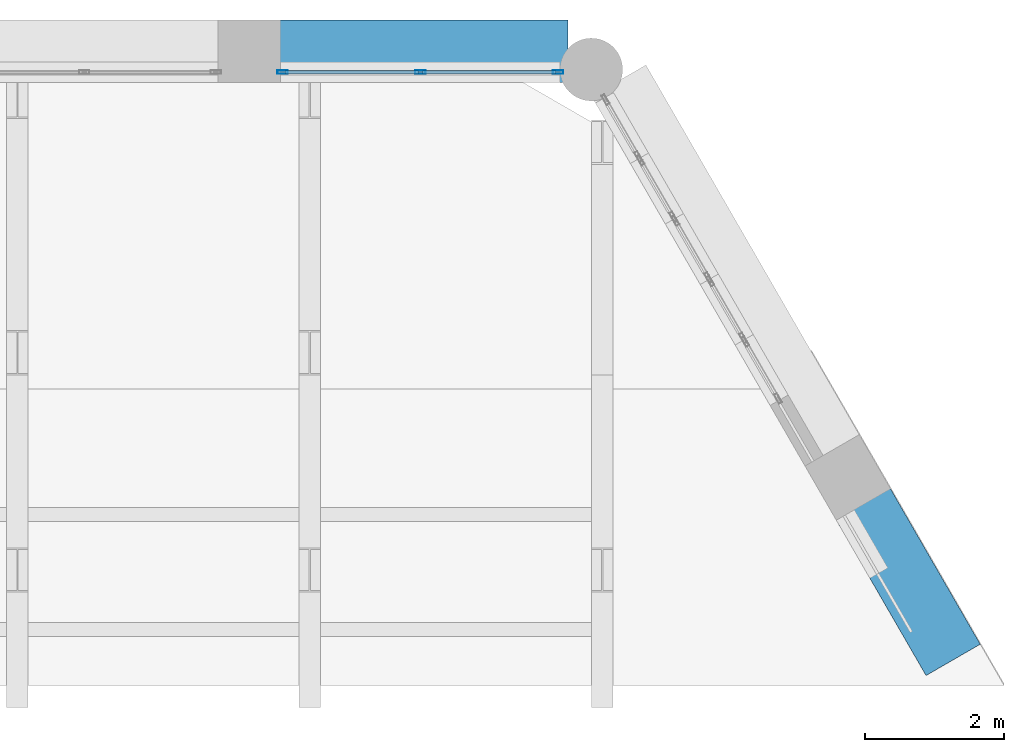
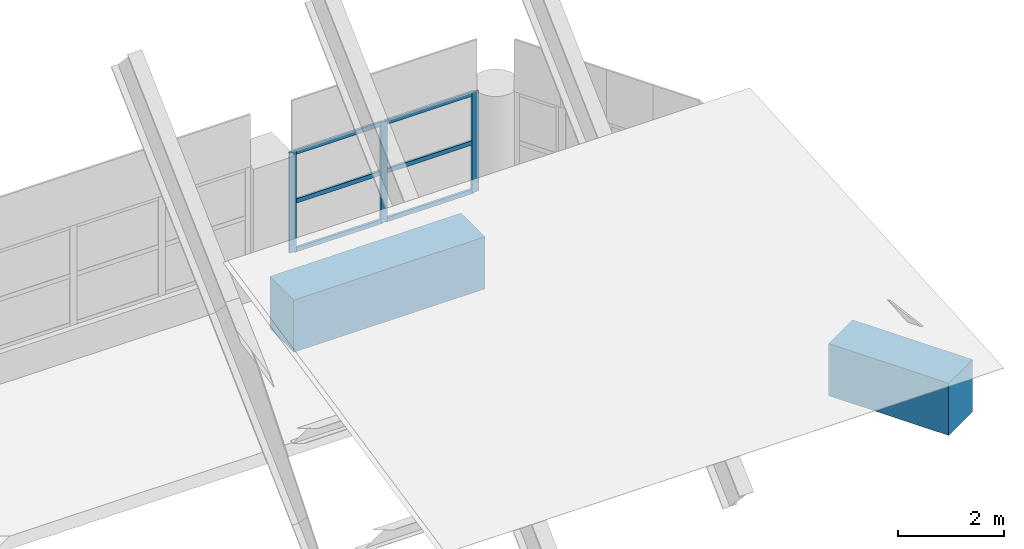
# One storey, part 8 of 11: 9 members, 2 beams, 1 element without a shape of its own.
"""IFC4 building model written with IfcOpenShell, lengths in metres."""

from ifc_helpers import new_model, si_unit, direction, frame, origin, origin_2d, place, context, subcontext, project, spatial, rectangle, hollow_rectangle, extrude, material, material_profile, profile_set, type_object, element, aggregate, save


model = new_model("IFC4")

# Units and contexts
model_context = context("Model", 3, precision=1e-05, world=origin(), true_north=direction((0.0, 1.0)))
body_context = subcontext(model_context, "Body", "Model", "MODEL_VIEW")
ifc_project = project(units=[si_unit("LENGTHUNIT", "METRE"), si_unit("AREAUNIT", "SQUARE_METRE"), si_unit("VOLUMEUNIT", "CUBIC_METRE"), si_unit("PLANEANGLEUNIT", "RADIAN"), si_unit("MASSUNIT", "GRAM", prefix="KILO")], contexts=[model_context])

# Site, building, storey
site_placement = place(None, origin())
site = spatial("IfcSite", under=ifc_project, at=site_placement, CompositionType="ELEMENT")
building_placement = place(site_placement, origin())
building = spatial("IfcBuilding", under=site, at=building_placement, Name="Ostrander Bayou Hotel Tower", CompositionType="ELEMENT")
storey_placement = place(building_placement, frame((0.0, 0.0, 297.5)))
storey = spatial("IfcBuildingStorey", under=building, at=storey_placement, Name="Roof 73", CompositionType="ELEMENT", Elevation=297.5)

# Curtain wall, members
ifc_material_1 = material(Name="Aluminium and clear glass", Category="aluminium")
curtain_wall_type = type_object("IfcCurtainWallType", Name="CW-CROWN glazed wall", PredefinedType="NOTDEFINED", material=ifc_material_1)
curtain_wall_placement = place(storey_placement, origin())
curtain_wall = element("IfcCurtainWall", 1, at=curtain_wall_placement, inside=storey, type_object=curtain_wall_type, Name="CW-CROWN L73:N-1", PredefinedType="NOTDEFINED")
ifc_material_2 = material(Name="Aluminium", Category="aluminium")
ifc_material_profile_1 = material_profile(ifc_material_2, hollow_rectangle(XDim=0.050048828125, YDim=0.14990234375, WallThickness=0.00390625, at=origin_2d()))
ifc_profile_set_1 = profile_set([ifc_material_profile_1], Name="Aluminium")
member_type_1 = type_object("IfcMemberType", Name="CW-CR mullion 50 x 150 mm", PredefinedType="MULLION", material=ifc_profile_set_1)
member_1_placement = place(storey_placement, frame((7.765869140625, 16.550048828125, 1.0), z_axis=(0.0, 0.0, 1.0), x_axis=(0.0, -1.0, 0.0)))
member_1 = element("IfcMember", 2, at=member_1_placement, type_object=member_type_1, Name="CW-CROWN mullion 1", PredefinedType="MULLION", context=body_context, shape_type="SweptSolid", body=[
    extrude(hollow_rectangle(XDim=0.050048828125, YDim=0.14990234375, WallThickness=0.00390625, at=origin_2d()), origin(), (0.0, 0.0, 1.0), 2.300048828125),
])
member_2_placement = place(storey_placement, frame((5.78759765625, 16.550048828125, 1.0), z_axis=(0.0, 0.0, 1.0), x_axis=(0.0, -1.0, 0.0)))
member_2 = element("IfcMember", 3, at=member_2_placement, type_object=member_type_1, Name="CW-CROWN mullion 2", PredefinedType="MULLION", context=body_context, shape_type="SweptSolid", body=[
    extrude(hollow_rectangle(XDim=0.050048828125, YDim=0.14990234375, WallThickness=0.00390625, at=origin_2d()), origin(), (0.0, 0.0, 1.0), 2.300048828125),
])
member_3_placement = place(storey_placement, frame((3.809326171875, 16.550048828125, 1.0), z_axis=(0.0, 0.0, 1.0), x_axis=(0.0, -1.0, 0.0)))
member_3 = element("IfcMember", 4, at=member_3_placement, type_object=member_type_1, Name="CW-CROWN mullion 3", PredefinedType="MULLION", context=body_context, shape_type="SweptSolid", body=[
    extrude(hollow_rectangle(XDim=0.050048828125, YDim=0.14990234375, WallThickness=0.00390625, at=origin_2d()), origin(), (0.0, 0.0, 1.0), 2.300048828125),
])
ifc_material_3 = material(Name="Aluminium", Category="aluminium")
ifc_material_profile_2 = material_profile(ifc_material_3, hollow_rectangle(XDim=0.050048828125, YDim=0.10009765625, WallThickness=0.00390625, at=origin_2d()))
ifc_profile_set_2 = profile_set([ifc_material_profile_2], Name="Aluminium")
member_type_2 = type_object("IfcMemberType", Name="CW-CR transom 50 x 100 mm", PredefinedType="USERDEFINED", material=ifc_profile_set_2)
member_4_placement = place(storey_placement, frame((7.73583984375, 16.550048828125, 1.030029296875), z_axis=(-1.0, 0.0, 0.0), x_axis=(0.0, -1.0, 0.0)))
member_4 = element("IfcMember", 5, at=member_4_placement, type_object=member_type_2, Name="CW-CROWN transom 1.1", ObjectType="TRANSOM", PredefinedType="USERDEFINED", context=body_context, shape_type="SweptSolid", body=[
    extrude(hollow_rectangle(XDim=0.050048828125, YDim=0.10009765625, WallThickness=0.00390625, at=origin_2d()), origin(), (0.0, 0.0, 1.0), 1.918212890625),
])
member_5_placement = place(storey_placement, frame((7.73583984375, 16.550048828125, 2.14990234375), z_axis=(-1.0, 0.0, 0.0), x_axis=(0.0, -1.0, 0.0)))
member_5 = element("IfcMember", 6, at=member_5_placement, type_object=member_type_2, Name="CW-CROWN transom 1.2", ObjectType="TRANSOM", PredefinedType="USERDEFINED", context=body_context, shape_type="SweptSolid", body=[
    extrude(hollow_rectangle(XDim=0.050048828125, YDim=0.10009765625, WallThickness=0.00390625, at=origin_2d()), origin(), (0.0, 0.0, 1.0), 1.918212890625),
])
member_6_placement = place(storey_placement, frame((7.73583984375, 16.550048828125, 3.27001953125), z_axis=(-1.0, 0.0, 0.0), x_axis=(0.0, -1.0, 0.0)))
member_6 = element("IfcMember", 7, at=member_6_placement, type_object=member_type_2, Name="CW-CROWN transom 1.3", ObjectType="TRANSOM", PredefinedType="USERDEFINED", context=body_context, shape_type="SweptSolid", body=[
    extrude(hollow_rectangle(XDim=0.050048828125, YDim=0.10009765625, WallThickness=0.00390625, at=origin_2d()), origin(), (0.0, 0.0, 1.0), 1.918212890625),
])
member_7_placement = place(storey_placement, frame((5.757568359375, 16.550048828125, 1.030029296875), z_axis=(-1.0, 0.0, 0.0), x_axis=(0.0, -1.0, 0.0)))
member_7 = element("IfcMember", 8, at=member_7_placement, type_object=member_type_2, Name="CW-CROWN transom 2.1", ObjectType="TRANSOM", PredefinedType="USERDEFINED", context=body_context, shape_type="SweptSolid", body=[
    extrude(hollow_rectangle(XDim=0.050048828125, YDim=0.10009765625, WallThickness=0.00390625, at=origin_2d()), origin(), (0.0, 0.0, 1.0), 1.918212890625),
])
member_8_placement = place(storey_placement, frame((5.757568359375, 16.550048828125, 2.14990234375), z_axis=(-1.0, 0.0, 0.0), x_axis=(0.0, -1.0, 0.0)))
member_8 = element("IfcMember", 9, at=member_8_placement, type_object=member_type_2, Name="CW-CROWN transom 2.2", ObjectType="TRANSOM", PredefinedType="USERDEFINED", context=body_context, shape_type="SweptSolid", body=[
    extrude(hollow_rectangle(XDim=0.050048828125, YDim=0.10009765625, WallThickness=0.00390625, at=origin_2d()), origin(), (0.0, 0.0, 1.0), 1.918212890625),
])
member_9_placement = place(storey_placement, frame((5.757568359375, 16.550048828125, 3.27001953125), z_axis=(-1.0, 0.0, 0.0), x_axis=(0.0, -1.0, 0.0)))
member_9 = element("IfcMember", 10, at=member_9_placement, type_object=member_type_2, Name="CW-CROWN transom 2.3", ObjectType="TRANSOM", PredefinedType="USERDEFINED", context=body_context, shape_type="SweptSolid", body=[
    extrude(hollow_rectangle(XDim=0.050048828125, YDim=0.10009765625, WallThickness=0.00390625, at=origin_2d()), origin(), (0.0, 0.0, 1.0), 1.918212890625),
])
aggregate(curtain_wall, [member_1, member_2, member_3, member_4, member_5, member_6, member_7, member_8, member_9])

# Beams
ifc_material_4 = material(Name="Concrete f'c 60 MPa", Category="concrete")
ifc_material_profile_3 = material_profile(ifc_material_4, rectangle(XDim=0.89990234375, YDim=1.199951171875, at=origin_2d()))
ifc_profile_set_3 = profile_set([ifc_material_profile_3], Name="Concrete f'c 60 MPa")
beam_type = type_object("IfcBeamType", Name="SP4 spandrel beam 900 x 1200 mm f'c 60 MPa", PredefinedType="SPANDREL", material=ifc_profile_set_3)
beam_1_placement = place(storey_placement, frame((7.90576171875, 16.85009765625, -0.60009765625), z_axis=(-1.0, 0.0, 0.0), x_axis=(0.0, -1.0, 0.0)))
element("IfcBeam", 11, at=beam_1_placement, inside=storey, type_object=beam_type, Name="SP4 L73 N-1", PredefinedType="SPANDREL", context=body_context, shape_type="SweptSolid", body=[
    extrude(rectangle(XDim=0.89990234375, YDim=1.199951171875, at=origin_2d()), origin(), (0.0, 0.0, 1.0), 4.15625),
])
beam_2_placement = place(storey_placement, frame((13.439453125, 8.109375, -0.60009765625), z_axis=(-0.500027874188, 0.866009310016, 0.0), x_axis=(-0.866009310016, -0.500027874188, 0.0)))
element("IfcBeam", 12, at=beam_2_placement, inside=storey, type_object=beam_type, Name="SP4 L73 NE-2", PredefinedType="SPANDREL", context=body_context, shape_type="SweptSolid", body=[
    extrude(rectangle(XDim=0.89990234375, YDim=1.199951171875, at=origin_2d()), origin(), (0.0, 0.0, 1.0), 2.606201171875),
])

save(model, "model.ifc")
